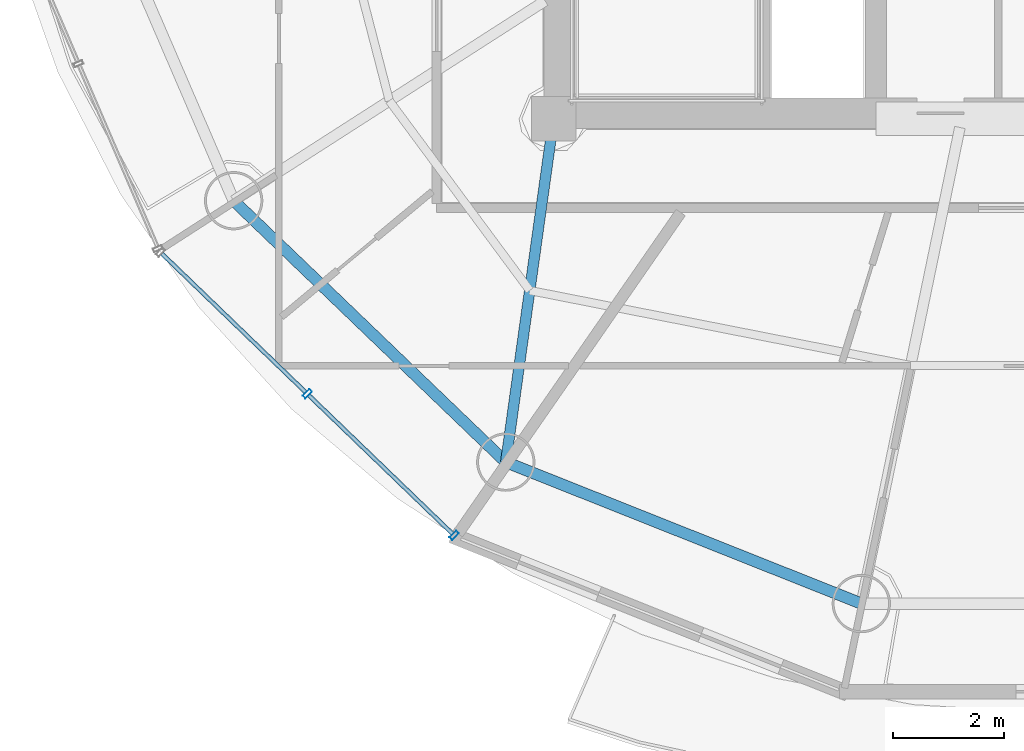
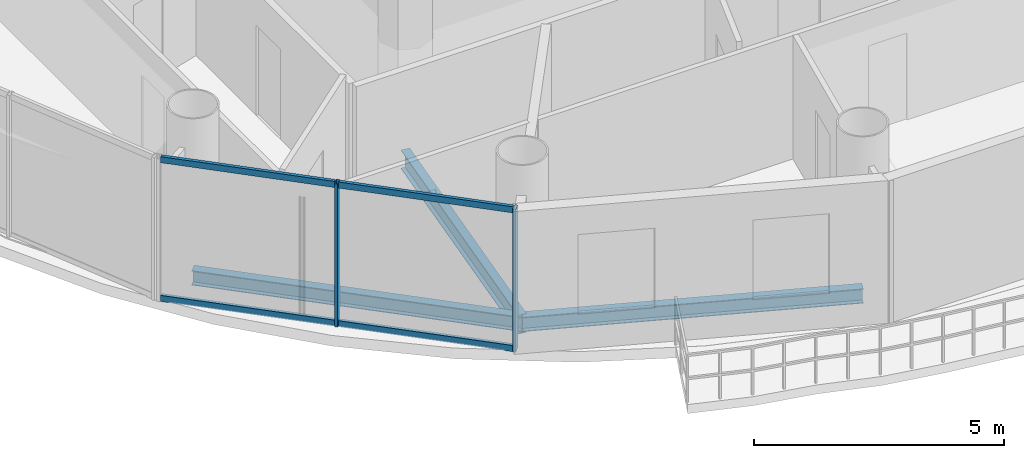
# One storey, part 2 of 24: 6 members, 3 beams, 1 element without a shape of its own.
"""IFC4 building model written with IfcOpenShell, lengths in metres."""

from ifc_helpers import new_model, si_unit, direction, frame, origin, origin_2d, place, context, subcontext, project, spatial, hollow_rectangle, i_section, extrude, source, transform, mapped, material, material_profile, profile_set, type_object, element, aggregate, save


model = new_model("IFC4")

# Units and contexts
model_context = context("Model", 3, precision=1e-05, world=origin(), true_north=direction((-0.2419218956, 0.970295726276)))
body_context = subcontext(model_context, "Body", "Model", "MODEL_VIEW")
ifc_project = project(units=[si_unit("LENGTHUNIT", "METRE"), si_unit("AREAUNIT", "SQUARE_METRE"), si_unit("VOLUMEUNIT", "CUBIC_METRE"), si_unit("PLANEANGLEUNIT", "RADIAN"), si_unit("MASSUNIT", "GRAM", prefix="KILO")], contexts=[model_context])

# Site, building, storey
site_placement = place(None, origin())
site = spatial("IfcSite", under=ifc_project, at=site_placement, CompositionType="ELEMENT")
building_placement = place(site_placement, origin())
building = spatial("IfcBuilding", under=site, at=building_placement, Name="Cobrevalo Terracotta Tower", CompositionType="ELEMENT")
storey_placement = place(building_placement, frame((0.0, 0.0, 278.199951171875)))
storey = spatial("IfcBuildingStorey", under=building, at=storey_placement, Name="L73", CompositionType="ELEMENT", Elevation=278.199951171875)

# Beams
ifc_material_1 = material(Name="Steel S355", Category="steel")
ifc_material_profile_1 = material_profile(ifc_material_1, i_section(OverallWidth=0.19091796875, OverallDepth=0.4599609375, WebThickness=0.010009765625, FlangeThickness=0.01611328125, at=origin_2d()), Name="W 460x82")
ifc_profile_set_1 = profile_set([ifc_material_profile_1], Name="Steel S355")
beam_type_1 = type_object("IfcBeamType", Name="Structural Beam W 460x82 (Steel S355)", PredefinedType="BEAM", material=ifc_profile_set_1)
beam_1_placement = place(storey_placement, frame((28.138671875, 12.62353515625, -0.489990234375), z_axis=(0.138115657759, 0.990416107039, 0.0), x_axis=(-0.990416107039, 0.138115657759, 0.0)))
element("IfcBeam", 1, at=beam_1_placement, inside=storey, type_object=beam_type_1, Name="L73 radial floor girder 11", PredefinedType="BEAM", context=body_context, shape_type="SweptSolid", body=[
    extrude(i_section(OverallWidth=0.19091796875, OverallDepth=0.4599609375, WebThickness=0.010009765625, FlangeThickness=0.01611328125, at=origin_2d()), origin(), (0.0, 0.0, 1.0), 6.236328125),
])
ifc_material_profile_2 = material_profile(ifc_material_1, i_section(OverallWidth=0.205078125, OverallDepth=0.35400390625, WebThickness=0.009521484375, FlangeThickness=0.016845703125, at=origin_2d()), Name="W 360x79")
ifc_profile_set_2 = profile_set([ifc_material_profile_2], Name="Steel S355")
beam_type_2 = type_object("IfcBeamType", Name="Structural Spandrel W 360x79 (Steel S355)", PredefinedType="SPANDREL", material=ifc_profile_set_2)
beam_2_placement = place(storey_placement, frame((23.241455078125, 17.32763671875, -0.43701171875), z_axis=(0.721183246144, -0.692744343522, 0.0), x_axis=(0.692744343522, 0.721183246144, 0.0)))
element("IfcBeam", 2, at=beam_2_placement, inside=storey, type_object=beam_type_2, Name="L73 perimeter ring spandrel 10", PredefinedType="SPANDREL", context=body_context, shape_type="SweptSolid", body=[
    extrude(i_section(OverallWidth=0.205078125, OverallDepth=0.35400390625, WebThickness=0.009521484375, FlangeThickness=0.016845703125, at=origin_2d()), origin(), (0.0, 0.0, 1.0), 6.79052734375),
])
beam_3_placement = place(storey_placement, frame((28.138671875, 12.62353515625, -0.43701171875), z_axis=(0.929149986048, -0.369702993533, 0.0), x_axis=(0.369702993533, 0.929149986048, 0.0)))
element("IfcBeam", 3, at=beam_3_placement, inside=storey, type_object=beam_type_2, Name="L73 perimeter ring spandrel 11", PredefinedType="SPANDREL", context=body_context, shape_type="SweptSolid", body=[
    extrude(i_section(OverallWidth=0.205078125, OverallDepth=0.35400390625, WebThickness=0.009521484375, FlangeThickness=0.016845703125, at=origin_2d()), origin(), (0.0, 0.0, 1.0), 6.88623046875),
])

# Curtain wall, members
ifc_material_2 = material(Name="Anodized aluminium", Category="aluminium")
curtain_wall_type = type_object("IfcCurtainWallType", Name="Upper-tower triple-glazed penthouse curtain wall CW-U3", PredefinedType="NOTDEFINED", material=ifc_material_2)
curtain_wall_placement = place(storey_placement, origin())
curtain_wall = element("IfcCurtainWall", 4, at=curtain_wall_placement, inside=storey, type_object=curtain_wall_type, Name="L73 curtain wall CW-L73-S10", PredefinedType="NOTDEFINED")
ifc_material_profile_3 = material_profile(ifc_material_2, hollow_rectangle(XDim=0.070068359375, YDim=0.169921875, WallThickness=0.00439453125, at=origin_2d()), Name="CWM 70x170")
ifc_profile_set_3 = profile_set([ifc_material_profile_3], Name="Anodized aluminium")
member_type_1 = type_object("IfcMemberType", Name="Upper tower unitised mullion 70x170", PredefinedType="MULLION", material=ifc_profile_set_3)
shared_shape_1 = source(origin(), body_context, "Body", "SweptSolid", [
    extrude(hollow_rectangle(XDim=0.070068359375, YDim=0.169921875, WallThickness=0.00439453125, at=origin_2d()), origin(), (0.0, 0.0, 1.0), 3.489990234375),
])
member_1_placement = place(storey_placement, frame((24.56640625, 13.85205078125, 0.0), z_axis=(0.0, 0.0, 1.0), x_axis=(0.71999418085, -0.69398010025, 0.0)))
member_1 = element("IfcMember", 5, at=member_1_placement, type_object=member_type_1, Name="CW-L73-S10 vertical mullion 02", PredefinedType="MULLION", context=body_context, shape_type="MappedRepresentation", body=[
    mapped(shared_shape_1, transform((0.0, 0.0, 0.0), scale=1.0)),
])
member_2_placement = place(storey_placement, frame((27.209716796875, 11.30419921875, 0.0), z_axis=(0.0, 0.0, 1.0), x_axis=(0.71999418085, -0.69398010025, 0.0)))
member_2 = element("IfcMember", 6, at=member_2_placement, type_object=member_type_1, Name="CW-L73-S10 vertical mullion 03", PredefinedType="MULLION", context=body_context, shape_type="MappedRepresentation", body=[
    mapped(shared_shape_1, transform((0.0, 0.0, 0.0), scale=1.0)),
])
ifc_material_profile_4 = material_profile(ifc_material_2, hollow_rectangle(XDim=0.074951171875, YDim=0.14990234375, WallThickness=0.00439453125, at=origin_2d()), Name="CWT 75x150")
ifc_profile_set_4 = profile_set([ifc_material_profile_4], Name="Anodized aluminium")
member_type_2 = type_object("IfcMemberType", Name="Tower unitised aluminium transom 75x150", PredefinedType="USERDEFINED", material=ifc_profile_set_4)
shared_shape_2 = source(origin(), body_context, "Body", "SweptSolid", [
    extrude(hollow_rectangle(XDim=0.074951171875, YDim=0.14990234375, WallThickness=0.00439453125, at=origin_2d()), origin(), (0.0, 0.0, 1.0), 3.59130859375),
])
member_3_placement = place(storey_placement, frame((21.9521484375, 16.3720703125, 0.050048828125), z_axis=(0.719971660756, -0.694003463758, 0.0), x_axis=(0.694003463758, 0.719971660756, 0.0)))
member_3 = element("IfcMember", 7, at=member_3_placement, type_object=member_type_2, Name="CW-L73-S10 transom B01-T1", ObjectType="TRANSOM", PredefinedType="USERDEFINED", context=body_context, shape_type="MappedRepresentation", body=[
    mapped(shared_shape_2, transform((0.0, 0.0, 0.0), scale=1.0)),
])
member_4_placement = place(storey_placement, frame((21.9521484375, 16.3720703125, 3.43994140625), z_axis=(0.719971660756, -0.694003463758, 0.0), x_axis=(0.694003463758, 0.719971660756, 0.0)))
member_4 = element("IfcMember", 8, at=member_4_placement, type_object=member_type_2, Name="CW-L73-S10 transom B01-T2", ObjectType="TRANSOM", PredefinedType="USERDEFINED", context=body_context, shape_type="MappedRepresentation", body=[
    mapped(shared_shape_2, transform((0.0, 0.0, 0.0), scale=1.0)),
])
member_5_placement = place(storey_placement, frame((24.59521484375, 13.82421875, 0.050048828125), z_axis=(0.720005628362, -0.693968223427, 0.0), x_axis=(0.693968223427, 0.720005628362, 0.0)))
member_5 = element("IfcMember", 9, at=member_5_placement, type_object=member_type_2, Name="CW-L73-S10 transom B02-T1", ObjectType="TRANSOM", PredefinedType="USERDEFINED", context=body_context, shape_type="MappedRepresentation", body=[
    mapped(shared_shape_2, transform((0.0, 0.0, 0.0), scale=1.0)),
])
member_6_placement = place(storey_placement, frame((24.59521484375, 13.82421875, 3.43994140625), z_axis=(0.720005628362, -0.693968223427, 0.0), x_axis=(0.693968223427, 0.720005628362, 0.0)))
member_6 = element("IfcMember", 10, at=member_6_placement, type_object=member_type_2, Name="CW-L73-S10 transom B02-T2", ObjectType="TRANSOM", PredefinedType="USERDEFINED", context=body_context, shape_type="MappedRepresentation", body=[
    mapped(shared_shape_2, transform((0.0, 0.0, 0.0), scale=1.0)),
])
aggregate(curtain_wall, [member_1, member_2, member_3, member_4, member_5, member_6])

save(model, "model.ifc")
